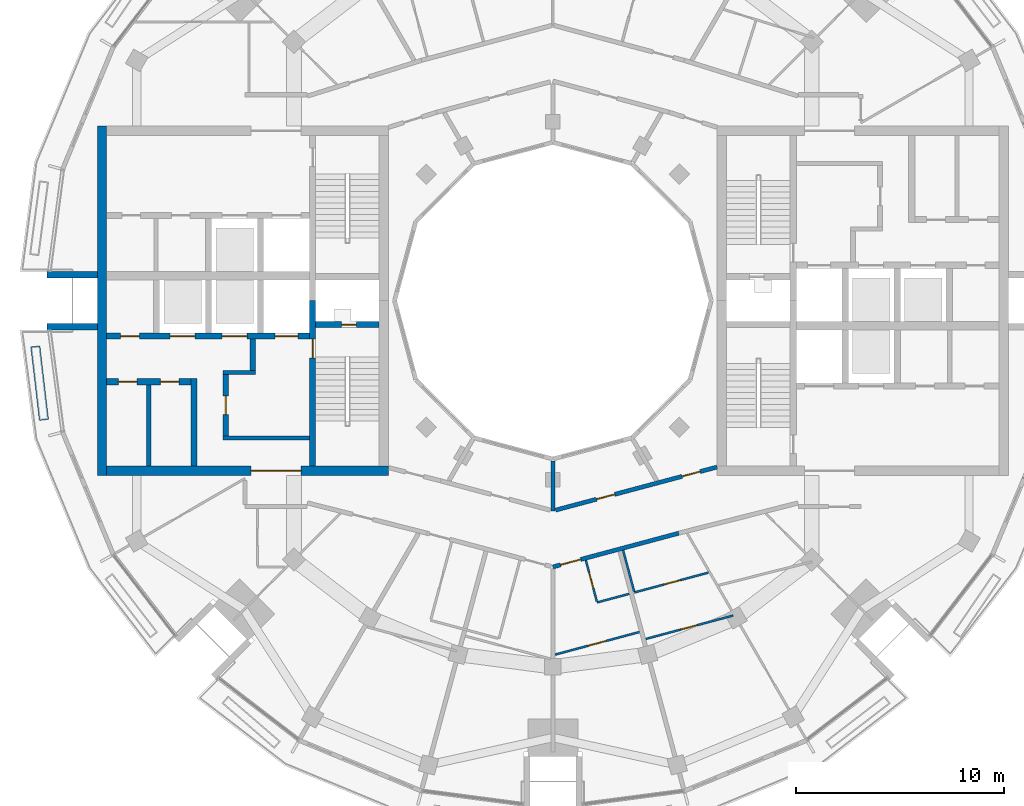
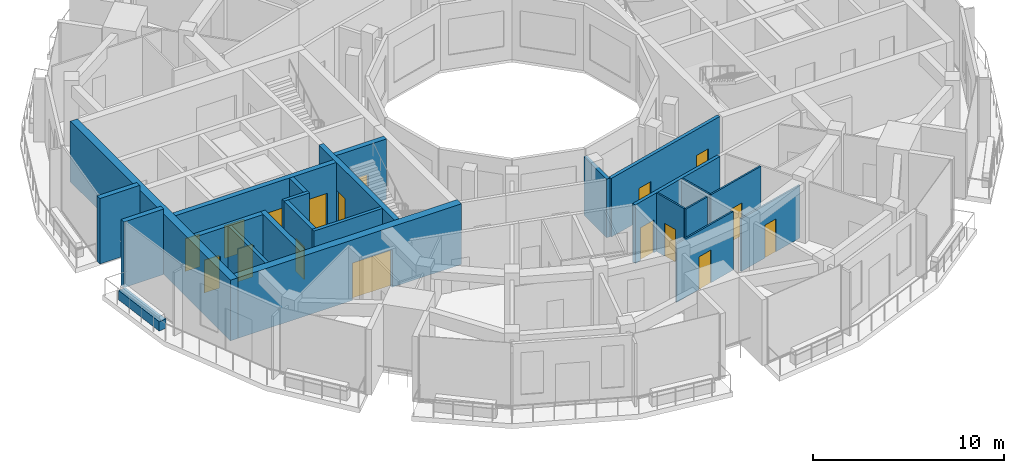
# One storey, part 9 of 17: 24 walls, 17 doors, 17 openings.
"""IFC4 building model written with IfcOpenShell, lengths in metres."""

from ifc_helpers import new_model, si_unit, direction, frame, frame_2d, origin, place, context, subcontext, project, spatial, rectangle, extrude, material, layer, layer_set, type_object, element, fill, save


model = new_model("IFC4")

# Units and contexts
model_context = context("Model", 3, precision=1e-05, world=origin(), true_north=direction((0.0, 1.0)))
body_context = subcontext(model_context, "Body", "Model", "MODEL_VIEW")
ifc_project = project(units=[si_unit("LENGTHUNIT", "METRE"), si_unit("AREAUNIT", "SQUARE_METRE"), si_unit("VOLUMEUNIT", "CUBIC_METRE"), si_unit("PLANEANGLEUNIT", "RADIAN"), si_unit("MASSUNIT", "GRAM", prefix="KILO")], contexts=[model_context])

# Site, building, storey
site_placement = place(None, origin())
site = spatial("IfcSite", under=ifc_project, at=site_placement, CompositionType="ELEMENT")
building_placement = place(site_placement, origin())
building = spatial("IfcBuilding", under=site, at=building_placement, Name="Torre Brocal", CompositionType="ELEMENT")
storey_placement = place(building_placement, frame((0.0, 0.0, 275.699951171875)))
storey = spatial("IfcBuildingStorey", under=building, at=storey_placement, Name="L63", CompositionType="ELEMENT", Elevation=275.699951171875)

# Walls
ifc_material_1 = material(Name="Masonry block", Category="masonry")
ifc_layer_1 = layer(ifc_material_1, 0.199951171875)
ifc_layer_set_1 = layer_set([ifc_layer_1], Name="Masonry block")
wall_type_1 = type_object("IfcWallType", Name="CORE PARTITION 200", PredefinedType="PARTITIONING", material=ifc_layer_set_1)
wall_1_placement = place(storey_placement, frame((60.574951171875, 70.949951171875, 0.0), z_axis=(0.0, 0.0, 1.0), x_axis=(0.0, -1.0, 0.0)))
element("IfcWall", 1, at=wall_1_placement, inside=storey, type_object=wall_type_1, Name="Wall CP200", PredefinedType="PARTITIONING", context=body_context, shape_type="SweptSolid", body=[
    extrude(rectangle(XDim=3.89990234375, YDim=0.199951171875, at=frame_2d((1.949951171875, 0.0))), origin(), (0.0, 0.0, 1.0), 3.880126953125),
])
ifc_material_2 = material(Name="Concrete C50", Category="concrete")
ifc_layer_2 = layer(ifc_material_2, 0.199951171875)
ifc_layer_set_2 = layer_set([ifc_layer_2], Name="Concrete C50")
wall_type_2 = type_object("IfcWallType", Name="CORE WALL 200 C50", PredefinedType="SHEAR", material=ifc_layer_set_2)
wall_2_placement = place(storey_placement, frame((68.300048828125, 68.39990234375, 0.0), z_axis=(0.0, 0.0, 1.0), x_axis=(-1.0, 0.0, 0.0)))
element("IfcWall", 2, at=wall_2_placement, inside=storey, type_object=wall_type_2, Name="Wall CW200-50", PredefinedType="SHEAR", context=body_context, shape_type="SweptSolid", body=[
    extrude(rectangle(XDim=4.150146484375, YDim=0.199951171875, at=frame_2d((2.0751953125, 0.0))), origin(), (0.0, 0.0, 1.0), 3.880126953125),
])
wall_3_placement = place(storey_placement, frame((65.699951171875, 71.550048828125, 0.0), z_axis=(0.0, 0.0, 1.0), x_axis=(-1.0, 0.0, 0.0)))
element("IfcWall", 3, at=wall_3_placement, inside=storey, type_object=wall_type_2, Name="Wall CW200-50", PredefinedType="SHEAR", context=body_context, shape_type="SweptSolid", body=[
    extrude(rectangle(XDim=1.550048828125, YDim=0.199951171875, at=frame_2d((0.77490234375, 0.0))), origin(), (0.0, 0.0, 1.0), 3.880126953125),
])

# Wall, opening, door
ifc_material_3 = material(Name="Concrete C50", Category="concrete")
ifc_layer_3 = layer(ifc_material_3, 0.25)
ifc_layer_set_3 = layer_set([ifc_layer_3], Name="Concrete C50")
wall_type_3 = type_object("IfcWallType", Name="CORE WALL 250 C50", PredefinedType="SHEAR", material=ifc_layer_set_3)
wall_4_placement = place(storey_placement, frame((64.27490234375, 71.449951171875, 0.0), z_axis=(0.0, 0.0, 1.0), x_axis=(0.0, -1.0, 0.0)))
wall_4 = element("IfcWall", 4, at=wall_4_placement, inside=storey, type_object=wall_type_3, Name="Wall CW250-50", PredefinedType="SHEAR", context=body_context, shape_type="SweptSolid", body=[
    extrude(rectangle(XDim=2.949951171875, YDim=0.25, at=frame_2d((1.47509765625, 0.0))), origin(), (0.0, 0.0, 1.0), 3.880126953125),
])
opening_1_placement = place(wall_4_placement, frame((1.02490234375, 0.0, 0.0)))
opening_1 = element("IfcOpeningElement", 5, at=opening_1_placement, cuts=wall_4, Name="Opening W-D26", PredefinedType="OPENING", context=body_context, shape_type="SweptSolid", body=[
    extrude(rectangle(XDim=0.89990234375, YDim=2.10009765625, at=frame_2d((0.449951171875, 1.050048828125))), frame((0.0, 0.135009765625, 0.0), z_axis=(0.0, -1.0, 0.0), x_axis=(1.0, 0.0, 0.0)), (0.0, 0.0, 1.0), 0.27001953125),
])
ifc_material_4 = material(Name="Steel A653", Category="steel")
door_type_1 = type_object("IfcDoorType", Name="LOBBY DOOR FD120 900X2100", OperationType="SINGLE_SWING_RIGHT", PredefinedType="DOOR", material=ifc_material_4)
door_1_placement = place(opening_1_placement, origin())
door_1 = element("IfcDoor", 6, at=door_1_placement, inside=storey, type_object=door_type_1, Name="Door W-D26", OperationType="SINGLE_SWING_LEFT", OverallHeight=2.10009765625, OverallWidth=0.89990234375, PredefinedType="DOOR", context=body_context, shape_type="SweptSolid", body=[
    extrude(rectangle(XDim=0.89990234375, YDim=2.10009765625, at=frame_2d((0.449951171875, 1.050048828125))), frame((0.0, 0.02490234375, 0.0), z_axis=(0.0, -1.0, 0.0), x_axis=(1.0, 0.0, 0.0)), (0.0, 0.0, 1.0), 0.050048828125),
])
fill(opening_1, door_1)

# Wall
wall_5_placement = place(storey_placement, frame((65.574951171875, 73.14990234375, 0.0), z_axis=(0.0, 0.0, 1.0), x_axis=(0.0, -1.0, 0.0)))
element("IfcWall", 7, at=wall_5_placement, inside=storey, type_object=wall_type_3, Name="Wall CW250-50", PredefinedType="SHEAR", context=body_context, shape_type="SweptSolid", body=[
    extrude(rectangle(XDim=1.5, YDim=0.25, at=frame_2d((0.75, 0.0))), origin(), (0.0, 0.0, 1.0), 3.880126953125),
])

# Wall, opening, door
ifc_material_5 = material(Name="Concrete C50", Category="concrete")
ifc_layer_4 = layer(ifc_material_5, 0.300048828125)
ifc_layer_set_4 = layer_set([ifc_layer_4], Name="Concrete C50")
wall_type_4 = type_object("IfcWallType", Name="CORE WALL 300 C50", PredefinedType="SHEAR", material=ifc_layer_set_4)
wall_6_placement = place(storey_placement, frame((68.449951171875, 75.0, 0.0), z_axis=(0.0, 0.0, 1.0), x_axis=(0.0, -1.0, 0.0)))
wall_6 = element("IfcWall", 8, at=wall_6_placement, inside=storey, type_object=wall_type_4, Name="Wall CW300-50", PredefinedType="SHEAR", context=body_context, shape_type="SweptSolid", body=[
    extrude(rectangle(XDim=7.949951171875, YDim=0.300048828125, at=frame_2d((3.97509765625, 0.0))), origin(), (0.0, 0.0, 1.0), 3.880126953125),
])
opening_2_placement = place(wall_6_placement, frame((1.85009765625, 0.0, 0.0)))
opening_2 = element("IfcOpeningElement", 9, at=opening_2_placement, cuts=wall_6, Name="Opening W-D02", PredefinedType="OPENING", context=body_context, shape_type="SweptSolid", body=[
    extrude(rectangle(XDim=0.89990234375, YDim=2.10009765625, at=frame_2d((0.449951171875, 1.050048828125))), frame((0.0, 0.159912109375, 0.0), z_axis=(0.0, -1.0, 0.0), x_axis=(1.0, 0.0, 0.0)), (0.0, 0.0, 1.0), 0.320068359375),
])
ifc_material_6 = material(Name="Steel A653", Category="steel")
door_type_2 = type_object("IfcDoorType", Name="STAIR DOOR FD120 900X2100", OperationType="SINGLE_SWING_RIGHT", PredefinedType="DOOR", material=ifc_material_6)
door_2_placement = place(opening_2_placement, origin())
door_2 = element("IfcDoor", 10, at=door_2_placement, inside=storey, type_object=door_type_2, Name="Door W-D02", OperationType="SINGLE_SWING_LEFT", OverallHeight=2.10009765625, OverallWidth=0.89990234375, PredefinedType="DOOR", context=body_context, shape_type="SweptSolid", body=[
    extrude(rectangle(XDim=0.89990234375, YDim=2.10009765625, at=frame_2d((0.449951171875, 1.050048828125))), frame((0.0, 0.02490234375, 0.0), z_axis=(0.0, -1.0, 0.0), x_axis=(1.0, 0.0, 0.0)), (0.0, 0.0, 1.0), 0.050048828125),
])
fill(opening_2, door_2)

wall_7_placement = place(storey_placement, frame((71.64990234375, 73.85009765625, 0.0), z_axis=(0.0, 0.0, 1.0), x_axis=(-1.0, 0.0, 0.0)))
wall_7 = element("IfcWall", 11, at=wall_7_placement, inside=storey, type_object=wall_type_4, Name="Wall CW300-50", PredefinedType="SHEAR", context=body_context, shape_type="SweptSolid", body=[
    extrude(rectangle(XDim=3.0498046875, YDim=0.300048828125, at=frame_2d((1.52490234375, 0.0))), origin(), (0.0, 0.0, 1.0), 3.880126953125),
])
opening_3_placement = place(wall_7_placement, frame((1.10009765625, 0.0, 0.0)))
opening_3 = element("IfcOpeningElement", 12, at=opening_3_placement, cuts=wall_7, Name="Opening W-D01", PredefinedType="OPENING", context=body_context, shape_type="SweptSolid", body=[
    extrude(rectangle(XDim=0.699951171875, YDim=2.0, at=frame_2d((0.35009765625, 1.0))), frame((0.0, 0.159912109375, 0.0), z_axis=(0.0, -1.0, 0.0), x_axis=(1.0, 0.0, 0.0)), (0.0, 0.0, 1.0), 0.320068359375),
])
ifc_material_7 = material(Name="Steel A653", Category="steel")
door_type_3 = type_object("IfcDoorType", Name="RISER DOOR FD120 700X2000", OperationType="SINGLE_SWING_LEFT", PredefinedType="DOOR", material=ifc_material_7)
door_3_placement = place(opening_3_placement, frame((0.699951171875, 0.0, 0.0), z_axis=(0.0, 0.0, 1.0), x_axis=(-1.0, 0.0, 0.0)))
door_3 = element("IfcDoor", 13, at=door_3_placement, inside=storey, type_object=door_type_3, Name="Door W-D01", OperationType="SINGLE_SWING_RIGHT", OverallHeight=2.0, OverallWidth=0.699951171875, PredefinedType="DOOR", context=body_context, shape_type="SweptSolid", body=[
    extrude(rectangle(XDim=0.699951171875, YDim=2.0, at=frame_2d((0.35009765625, 1.0))), frame((0.0, 0.02490234375, 0.0), z_axis=(0.0, -1.0, 0.0), x_axis=(1.0, 0.0, 0.0)), (0.0, 0.0, 1.0), 0.050048828125),
])
fill(opening_3, door_3)

# Wall, openings, doors
wall_8_placement = place(storey_placement, frame((68.300048828125, 73.300048828125, 0.0), z_axis=(0.0, 0.0, 1.0), x_axis=(-1.0, 0.0, 0.0)))
wall_8 = element("IfcWall", 14, at=wall_8_placement, inside=storey, type_object=wall_type_4, Name="Wall CW300-50", PredefinedType="SHEAR", context=body_context, shape_type="SweptSolid", body=[
    extrude(rectangle(XDim=9.75, YDim=0.300048828125, at=frame_2d((4.875, 0.0))), origin(), (0.0, 0.0, 1.0), 3.880126953125),
])
opening_4_placement = place(wall_8_placement, frame((0.550048828125, 0.0, 0.0)))
opening_4 = element("IfcOpeningElement", 15, at=opening_4_placement, cuts=wall_8, Name="Opening LD", PredefinedType="OPENING", context=body_context, shape_type="SweptSolid", body=[
    extrude(rectangle(XDim=1.10009765625, YDim=2.10009765625, at=frame_2d((0.550048828125, 1.050048828125))), frame((0.0, 0.159912109375, 0.0), z_axis=(0.0, -1.0, 0.0), x_axis=(1.0, 0.0, 0.0)), (0.0, 0.0, 1.0), 0.320068359375),
])
opening_5_placement = place(wall_8_placement, frame((3.0, 0.0, 0.0)))
opening_5 = element("IfcOpeningElement", 16, at=opening_5_placement, cuts=wall_8, Name="Opening LD12", PredefinedType="OPENING", context=body_context, shape_type="SweptSolid", body=[
    extrude(rectangle(XDim=1.199951171875, YDim=2.10009765625, at=frame_2d((0.60009765625, 1.050048828125))), frame((0.0, 0.159912109375, 0.0), z_axis=(0.0, -1.0, 0.0), x_axis=(1.0, 0.0, 0.0)), (0.0, 0.0, 1.0), 0.320068359375),
])
opening_6_placement = place(wall_8_placement, frame((5.5, 0.0, 0.0)))
opening_6 = element("IfcOpeningElement", 17, at=opening_6_placement, cuts=wall_8, Name="Opening LD12", PredefinedType="OPENING", context=body_context, shape_type="SweptSolid", body=[
    extrude(rectangle(XDim=1.199951171875, YDim=2.10009765625, at=frame_2d((0.60009765625, 1.050048828125))), frame((0.0, 0.159912109375, 0.0), z_axis=(0.0, -1.0, 0.0), x_axis=(1.0, 0.0, 0.0)), (0.0, 0.0, 1.0), 0.320068359375),
])
opening_7_placement = place(wall_8_placement, frame((8.175048828125, 0.0, 0.0)))
opening_7 = element("IfcOpeningElement", 18, at=opening_7_placement, cuts=wall_8, Name="Opening W-D04", PredefinedType="OPENING", context=body_context, shape_type="SweptSolid", body=[
    extrude(rectangle(XDim=0.89990234375, YDim=2.10009765625, at=frame_2d((0.449951171875, 1.050048828125))), frame((0.0, 0.159912109375, 0.0), z_axis=(0.0, -1.0, 0.0), x_axis=(1.0, 0.0, 0.0)), (0.0, 0.0, 1.0), 0.320068359375),
])
ifc_material_8 = material(Name="Stainless steel AISI 316", Category="steel")
door_type_4 = type_object("IfcDoorType", Name="LIFT LANDING DOOR 1100X2100", OperationType="DOUBLE_DOOR_SLIDING", PredefinedType="DOOR", material=ifc_material_8)
door_4_placement = place(opening_4_placement, origin())
door_4 = element("IfcDoor", 19, at=door_4_placement, inside=storey, type_object=door_type_4, Name="Door LD", OperationType="DOUBLE_DOOR_SLIDING", OverallHeight=2.10009765625, OverallWidth=1.10009765625, PredefinedType="DOOR", context=body_context, shape_type="SweptSolid", body=[
    extrude(rectangle(XDim=1.10009765625, YDim=2.10009765625, at=frame_2d((0.550048828125, 1.050048828125))), frame((0.0, 0.02490234375, 0.0), z_axis=(0.0, -1.0, 0.0), x_axis=(1.0, 0.0, 0.0)), (0.0, 0.0, 1.0), 0.050048828125),
])
fill(opening_4, door_4)
ifc_material_9 = material(Name="Stainless steel AISI 316", Category="steel")
door_type_5 = type_object("IfcDoorType", Name="LIFT LANDING DOOR 1200X2100", OperationType="DOUBLE_DOOR_SLIDING", PredefinedType="DOOR", material=ifc_material_9)
door_5_placement = place(opening_5_placement, origin())
door_5 = element("IfcDoor", 20, at=door_5_placement, inside=storey, type_object=door_type_5, Name="Door LD12", OperationType="DOUBLE_DOOR_SLIDING", OverallHeight=2.10009765625, OverallWidth=1.199951171875, PredefinedType="DOOR", context=body_context, shape_type="SweptSolid", body=[
    extrude(rectangle(XDim=1.199951171875, YDim=2.10009765625, at=frame_2d((0.60009765625, 1.050048828125))), frame((0.0, 0.02490234375, 0.0), z_axis=(0.0, -1.0, 0.0), x_axis=(1.0, 0.0, 0.0)), (0.0, 0.0, 1.0), 0.050048828125),
])
fill(opening_5, door_5)
door_6_placement = place(opening_6_placement, origin())
door_6 = element("IfcDoor", 21, at=door_6_placement, inside=storey, type_object=door_type_5, Name="Door LD12", OperationType="DOUBLE_DOOR_SLIDING", OverallHeight=2.10009765625, OverallWidth=1.199951171875, PredefinedType="DOOR", context=body_context, shape_type="SweptSolid", body=[
    extrude(rectangle(XDim=1.199951171875, YDim=2.10009765625, at=frame_2d((0.60009765625, 1.050048828125))), frame((0.0, 0.02490234375, 0.0), z_axis=(0.0, -1.0, 0.0), x_axis=(1.0, 0.0, 0.0)), (0.0, 0.0, 1.0), 0.050048828125),
])
fill(opening_6, door_6)
ifc_material_10 = material(Name="Steel A653", Category="steel")
door_type_6 = type_object("IfcDoorType", Name="ROOM DOOR FD30S 900X2100", OperationType="SINGLE_SWING_LEFT", PredefinedType="DOOR", material=ifc_material_10)
door_7_placement = place(opening_7_placement, frame((0.89990234375, 0.0, 0.0), z_axis=(0.0, 0.0, 1.0), x_axis=(-1.0, 0.0, 0.0)))
door_7 = element("IfcDoor", 22, at=door_7_placement, inside=storey, type_object=door_type_6, Name="Door W-D04", OperationType="SINGLE_SWING_LEFT", OverallHeight=2.10009765625, OverallWidth=0.89990234375, PredefinedType="DOOR", context=body_context, shape_type="SweptSolid", body=[
    extrude(rectangle(XDim=0.89990234375, YDim=2.10009765625, at=frame_2d((0.449951171875, 1.050048828125))), frame((0.0, 0.02490234375, 0.0), z_axis=(0.0, -1.0, 0.0), x_axis=(1.0, 0.0, 0.0)), (0.0, 0.0, 1.0), 0.050048828125),
])
fill(opening_7, door_7)

# Wall
wall_9_placement = place(storey_placement, frame((62.75, 71.25, 0.0), z_axis=(0.0, 0.0, 1.0), x_axis=(0.0, -1.0, 0.0)))
element("IfcWall", 23, at=wall_9_placement, inside=storey, type_object=wall_type_4, Name="Wall CW300-50", PredefinedType="SHEAR", context=body_context, shape_type="SweptSolid", body=[
    extrude(rectangle(XDim=4.199951171875, YDim=0.300048828125, at=frame_2d((2.10009765625, 0.0))), origin(), (0.0, 0.0, 1.0), 3.880126953125),
])

# Wall, openings, doors
wall_10_placement = place(storey_placement, frame((62.60009765625, 71.10009765625, 0.0), z_axis=(0.0, 0.0, 1.0), x_axis=(-1.0, 0.0, 0.0)))
wall_10 = element("IfcWall", 24, at=wall_10_placement, inside=storey, type_object=wall_type_4, Name="Wall CW300-50", PredefinedType="SHEAR", context=body_context, shape_type="SweptSolid", body=[
    extrude(rectangle(XDim=4.050048828125, YDim=0.300048828125, at=frame_2d((2.02490234375, 0.0))), origin(), (0.0, 0.0, 1.0), 3.880126953125),
])
opening_8_placement = place(wall_10_placement, frame((0.5625, 0.0, 0.0)))
opening_8 = element("IfcOpeningElement", 25, at=opening_8_placement, cuts=wall_10, Name="Opening W-D28", PredefinedType="OPENING", context=body_context, shape_type="SweptSolid", body=[
    extrude(rectangle(XDim=0.89990234375, YDim=2.10009765625, at=frame_2d((0.449951171875, 1.050048828125))), frame((0.0, 0.159912109375, 0.0), z_axis=(0.0, -1.0, 0.0), x_axis=(1.0, 0.0, 0.0)), (0.0, 0.0, 1.0), 0.320068359375),
])
opening_9_placement = place(wall_10_placement, frame((2.58740234375, 0.0, 0.0)))
opening_9 = element("IfcOpeningElement", 26, at=opening_9_placement, cuts=wall_10, Name="Opening W-D09", PredefinedType="OPENING", context=body_context, shape_type="SweptSolid", body=[
    extrude(rectangle(XDim=0.89990234375, YDim=2.10009765625, at=frame_2d((0.449951171875, 1.050048828125))), frame((0.0, 0.159912109375, 0.0), z_axis=(0.0, -1.0, 0.0), x_axis=(1.0, 0.0, 0.0)), (0.0, 0.0, 1.0), 0.320068359375),
])
door_8_placement = place(opening_8_placement, origin())
door_8 = element("IfcDoor", 27, at=door_8_placement, inside=storey, type_object=door_type_6, Name="Door W-D28", OperationType="SINGLE_SWING_RIGHT", OverallHeight=2.10009765625, OverallWidth=0.89990234375, PredefinedType="DOOR", context=body_context, shape_type="SweptSolid", body=[
    extrude(rectangle(XDim=0.89990234375, YDim=2.10009765625, at=frame_2d((0.449951171875, 1.050048828125))), frame((0.0, 0.02490234375, 0.0), z_axis=(0.0, -1.0, 0.0), x_axis=(1.0, 0.0, 0.0)), (0.0, 0.0, 1.0), 0.050048828125),
])
fill(opening_8, door_8)
door_9_placement = place(opening_9_placement, origin())
door_9 = element("IfcDoor", 28, at=door_9_placement, inside=storey, type_object=door_type_6, Name="Door W-D09", OperationType="SINGLE_SWING_LEFT", OverallHeight=2.10009765625, OverallWidth=0.89990234375, PredefinedType="DOOR", context=body_context, shape_type="SweptSolid", body=[
    extrude(rectangle(XDim=0.89990234375, YDim=2.10009765625, at=frame_2d((0.449951171875, 1.050048828125))), frame((0.0, 0.02490234375, 0.0), z_axis=(0.0, -1.0, 0.0), x_axis=(1.0, 0.0, 0.0)), (0.0, 0.0, 1.0), 0.050048828125),
])
fill(opening_9, door_9)

# Wall, opening, door
ifc_material_11 = material(Name="Concrete C50", Category="concrete")
ifc_layer_5 = layer(ifc_material_11, 0.449951171875)
ifc_layer_set_5 = layer_set([ifc_layer_5], Name="Concrete C50")
wall_type_5 = type_object("IfcWallType", Name="CORE WALL 450 C50", PredefinedType="SHEAR", material=ifc_layer_set_5)
wall_11_placement = place(storey_placement, frame((72.10009765625, 66.824951171875, 0.0), z_axis=(0.0, 0.0, 1.0), x_axis=(-1.0, 0.0, 0.0)))
wall_11 = element("IfcWall", 29, at=wall_11_placement, inside=storey, type_object=wall_type_5, Name="Wall CW450-50", PredefinedType="SHEAR", context=body_context, shape_type="SweptSolid", body=[
    extrude(rectangle(XDim=13.550048828125, YDim=0.449951171875, at=frame_2d((6.77490234375, 0.0))), origin(), (0.0, 0.0, 1.0), 3.880126953125),
])
opening_10_placement = place(wall_11_placement, frame((4.199951171875, 0.0, 0.0)))
opening_10 = element("IfcOpeningElement", 30, at=opening_10_placement, cuts=wall_11, Name="Opening W-D32", PredefinedType="OPENING", context=body_context, shape_type="SweptSolid", body=[
    extrude(rectangle(XDim=2.39990234375, YDim=2.39990234375, at=frame_2d((1.199951171875, 1.199951171875))), frame((0.0, 0.23486328125, 0.0), z_axis=(0.0, -1.0, 0.0), x_axis=(1.0, 0.0, 0.0)), (0.0, 0.0, 1.0), 0.469970703125),
])
ifc_material_12 = material(Name="Steel A653", Category="steel")
door_type_7 = type_object("IfcDoorType", Name="DOUBLE FIRE DOOR FD90 2400X2400", OperationType="DOUBLE_DOOR_SINGLE_SWING", PredefinedType="DOOR", material=ifc_material_12)
door_10_placement = place(opening_10_placement, frame((2.39990234375, 0.0, 0.0), z_axis=(0.0, 0.0, 1.0), x_axis=(-1.0, 0.0, 0.0)))
door_10 = element("IfcDoor", 31, at=door_10_placement, inside=storey, type_object=door_type_7, Name="Door W-D32", OperationType="DOUBLE_DOOR_SINGLE_SWING", OverallHeight=2.39990234375, OverallWidth=2.39990234375, PredefinedType="DOOR", context=body_context, shape_type="SweptSolid", body=[
    extrude(rectangle(XDim=2.39990234375, YDim=2.39990234375, at=frame_2d((1.199951171875, 1.199951171875))), frame((0.0, 0.02490234375, 0.0), z_axis=(0.0, -1.0, 0.0), x_axis=(1.0, 0.0, 0.0)), (0.0, 0.0, 1.0), 0.050048828125),
])
fill(opening_10, door_10)

# Walls
wall_12_placement = place(storey_placement, frame((58.324951171875, 83.39990234375, 0.0), z_axis=(0.0, 0.0, 1.0), x_axis=(0.0, -1.0, 0.0)))
element("IfcWall", 32, at=wall_12_placement, inside=storey, type_object=wall_type_5, Name="Wall CW450-50", PredefinedType="SHEAR", context=body_context, shape_type="SweptSolid", body=[
    extrude(rectangle(XDim=16.7998046875, YDim=0.449951171875, at=frame_2d((8.39990234375, 0.0))), origin(), (0.0, 0.0, 1.0), 3.880126953125),
])
ifc_material_13 = material(Name="Concrete C50", Category="concrete")
ifc_layer_6 = layer(ifc_material_13, 0.300048828125)
ifc_layer_set_6 = layer_set([ifc_layer_6], Name="Concrete C50")
wall_type_6 = type_object("IfcWallType", Name="NOTCH RETURN WALL 300 C50", PredefinedType="NOTDEFINED", material=ifc_layer_set_6)
for number, where, z_axis, x_axis, name in (
    (33, (58.10009765625, 76.25, 0.0), (0.0, 0.0, 1.0), (-1.0, 0.0, 0.0), "NOTCH RETURN WALL"),
    (34, (58.10009765625, 73.75, 0.0), (0.0, 0.0, 1.0), (-1.0, 0.0, 0.0), "NOTCH RETURN WALL"),
):
    element("IfcWall", number, at=place(storey_placement, frame(where, z_axis=z_axis, x_axis=x_axis)), inside=storey, type_object=wall_type_6, Name=name, PredefinedType="NOTDEFINED", context=body_context, shape_type="SweptSolid", body=[
        extrude(rectangle(XDim=2.415771484375, YDim=0.300048828125, at=frame_2d((1.2080078125, 0.0))), origin(), (0.0, 0.0, 1.0), 4.199951171875),
    ])

# Wall, opening, door
ifc_material_14 = material(Name="Gypsum board", Category="Gypsum")
ifc_layer_7 = layer(ifc_material_14, 0.10009765625)
ifc_layer_set_7 = layer_set([ifc_layer_7], Name="Gypsum board")
wall_type_7 = type_object("IfcWallType", Name="PARTITION 100", PredefinedType="PARTITIONING", material=ifc_layer_set_7)
wall_13_placement = place(storey_placement, frame((80.106201171875, 57.987548828125, 0.0), z_axis=(0.0, 0.0, 1.0), x_axis=(0.965893555682, 0.25893945063, 0.0)))
wall_13 = element("IfcWall", 35, at=wall_13_placement, inside=storey, type_object=wall_type_7, Name="ROOM PARTITION", PredefinedType="PARTITIONING", context=body_context, shape_type="SweptSolid", body=[
    extrude(rectangle(XDim=4.200439453125, YDim=0.10009765625, at=frame_2d((2.10009765625, 0.0))), origin(), (0.0, 0.0, 1.0), 3.75),
])
opening_11_placement = place(wall_13_placement, frame((1.645263671875, 0.0, 0.0)))
opening_11 = element("IfcOpeningElement", 36, at=opening_11_placement, cuts=wall_13, Name="Opening N01-D28", PredefinedType="OPENING", context=body_context, shape_type="SweptSolid", body=[
    extrude(rectangle(XDim=0.89990234375, YDim=2.10009765625, at=frame_2d((0.449951171875, 1.050048828125))), frame((0.0, 0.06005859375, 0.0), z_axis=(0.0, -1.0, 0.0), x_axis=(1.0, 0.0, 0.0)), (0.0, 0.0, 1.0), 0.1201171875),
])
ifc_material_15 = material(Name="Timber", Category="wood")
door_type_8 = type_object("IfcDoorType", Name="ROOM DOOR 900X2100", OperationType="SINGLE_SWING_LEFT", PredefinedType="DOOR", material=ifc_material_15)
door_11_placement = place(opening_11_placement, origin())
door_11 = element("IfcDoor", 37, at=door_11_placement, inside=storey, type_object=door_type_8, Name="N01-D28", OperationType="SINGLE_SWING_LEFT", OverallHeight=2.10009765625, OverallWidth=0.89990234375, PredefinedType="DOOR", context=body_context, shape_type="SweptSolid", body=[
    extrude(rectangle(XDim=0.89990234375, YDim=2.10009765625, at=frame_2d((0.449951171875, 1.050048828125))), frame((0.0, 0.02490234375, 0.0), z_axis=(0.0, -1.0, 0.0), x_axis=(1.0, 0.0, 0.0)), (0.0, 0.0, 1.0), 0.050048828125),
])
fill(opening_11, door_11)

wall_14_placement = place(storey_placement, frame((81.5830078125, 62.5244140625, 0.0), z_axis=(0.0, 0.0, 1.0), x_axis=(0.258559472989, -0.965995341049, 0.0)))
wall_14 = element("IfcWall", 38, at=wall_14_placement, inside=storey, type_object=wall_type_7, Name="BATHROOM WALL", PredefinedType="PARTITIONING", context=body_context, shape_type="SweptSolid", body=[
    extrude(rectangle(XDim=2.050048828125, YDim=0.10009765625, at=frame_2d((1.02490234375, 0.0))), origin(), (0.0, 0.0, 1.0), 3.75),
])
opening_12_placement = place(wall_14_placement, frame((0.599853515625, 0.0, 0.0)))
opening_12 = element("IfcOpeningElement", 39, at=opening_12_placement, cuts=wall_14, Name="Opening N01-D30", PredefinedType="OPENING", context=body_context, shape_type="SweptSolid", body=[
    extrude(rectangle(XDim=0.800048828125, YDim=2.10009765625, at=frame_2d((0.39990234375, 1.050048828125))), frame((0.0, 0.06005859375, 0.0), z_axis=(0.0, -1.0, 0.0), x_axis=(1.0, 0.0, 0.0)), (0.0, 0.0, 1.0), 0.1201171875),
])
ifc_material_16 = material(Name="Timber", Category="wood")
door_type_9 = type_object("IfcDoorType", Name="BATHROOM DOOR 800X2100", OperationType="SINGLE_SWING_LEFT", PredefinedType="DOOR", material=ifc_material_16)
door_12_placement = place(opening_12_placement, origin())
door_12 = element("IfcDoor", 40, at=door_12_placement, inside=storey, type_object=door_type_9, Name="N01-D30", OperationType="SINGLE_SWING_LEFT", OverallHeight=2.10009765625, OverallWidth=0.800048828125, PredefinedType="DOOR", context=body_context, shape_type="SweptSolid", body=[
    extrude(rectangle(XDim=0.800048828125, YDim=2.10009765625, at=frame_2d((0.39990234375, 1.050048828125))), frame((0.0, 0.02490234375, 0.0), z_axis=(0.0, -1.0, 0.0), x_axis=(1.0, 0.0, 0.0)), (0.0, 0.0, 1.0), 0.050048828125),
])
fill(opening_12, door_12)

# Walls
wall_15_placement = place(storey_placement, frame((82.1259765625, 60.495849609375, 0.0), z_axis=(0.0, 0.0, 1.0), x_axis=(0.965930342518, 0.258802189717, 0.0)))
element("IfcWall", 41, at=wall_15_placement, inside=storey, type_object=wall_type_7, Name="BATHROOM WALL", PredefinedType="PARTITIONING", context=body_context, shape_type="SweptSolid", body=[
    extrude(rectangle(XDim=1.599853515625, YDim=0.10009765625, at=frame_2d((0.7998046875, 0.0))), origin(), (0.0, 0.0, 1.0), 3.75),
])
wall_16_placement = place(storey_placement, frame((83.373779296875, 63.00439453125, 0.0), z_axis=(0.0, 0.0, 1.0), x_axis=(0.259144823933, -0.965838475227, 0.0)))
element("IfcWall", 42, at=wall_16_placement, inside=storey, type_object=wall_type_7, Name="BATHROOM WALL", PredefinedType="PARTITIONING", context=body_context, shape_type="SweptSolid", body=[
    extrude(rectangle(XDim=2.050048828125, YDim=0.10009765625, at=frame_2d((1.02490234375, 0.0))), origin(), (0.0, 0.0, 1.0), 3.75),
])

# Wall, opening, door
wall_17_placement = place(storey_placement, frame((83.91796875, 60.97607421875, 0.0), z_axis=(0.0, 0.0, 1.0), x_axis=(0.965914351064, 0.258861867428, 0.0)))
wall_17 = element("IfcWall", 43, at=wall_17_placement, inside=storey, type_object=wall_type_7, Name="BATHROOM WALL", PredefinedType="PARTITIONING", context=body_context, shape_type="SweptSolid", body=[
    extrude(rectangle(XDim=3.686767578125, YDim=0.10009765625, at=frame_2d((1.84326171875, 0.0))), origin(), (0.0, 0.0, 1.0), 3.75),
])
opening_13_placement = place(wall_17_placement, frame((1.473388671875, 0.0, 0.0)))
opening_13 = element("IfcOpeningElement", 44, at=opening_13_placement, cuts=wall_17, Name="Opening N01-D26", PredefinedType="OPENING", context=body_context, shape_type="SweptSolid", body=[
    extrude(rectangle(XDim=0.800048828125, YDim=2.10009765625, at=frame_2d((0.39990234375, 1.050048828125))), frame((0.0, 0.06005859375, 0.0), z_axis=(0.0, -1.0, 0.0), x_axis=(1.0, 0.0, 0.0)), (0.0, 0.0, 1.0), 0.1201171875),
])
door_13_placement = place(opening_13_placement, origin())
door_13 = element("IfcDoor", 45, at=door_13_placement, inside=storey, type_object=door_type_9, Name="N01-D26", OperationType="SINGLE_SWING_RIGHT", OverallHeight=2.10009765625, OverallWidth=0.800048828125, PredefinedType="DOOR", context=body_context, shape_type="SweptSolid", body=[
    extrude(rectangle(XDim=0.800048828125, YDim=2.10009765625, at=frame_2d((0.39990234375, 1.050048828125))), frame((0.0, 0.02490234375, 0.0), z_axis=(0.0, -1.0, 0.0), x_axis=(1.0, 0.0, 0.0)), (0.0, 0.0, 1.0), 0.050048828125),
])
fill(opening_13, door_13)

ifc_material_17 = material(Name="Gypsum board", Category="Gypsum")
ifc_layer_8 = layer(ifc_material_17, 0.10009765625)
ifc_layer_set_8 = layer_set([ifc_layer_8], Name="Gypsum board")
wall_type_8 = type_object("IfcWallType", Name="PARTITION 100 UNDER BEAM 820", PredefinedType="PARTITIONING", material=ifc_layer_set_8)
wall_18_placement = place(storey_placement, frame((84.460693359375, 58.739990234375, 0.0), z_axis=(0.0, 0.0, 1.0), x_axis=(0.965893774063, 0.258938636026, 0.0)))
wall_18 = element("IfcWall", 46, at=wall_18_placement, inside=storey, type_object=wall_type_8, Name="BATHROOM WALL", PredefinedType="PARTITIONING", context=body_context, shape_type="SweptSolid", body=[
    extrude(rectangle(XDim=4.35791015625, YDim=0.10009765625, at=frame_2d((2.178955078125, 0.0))), origin(), (0.0, 0.0, 1.0), 3.380126953125),
])
opening_14_placement = place(wall_18_placement, frame((1.759033203125, 0.0, 0.0)))
opening_14 = element("IfcOpeningElement", 47, at=opening_14_placement, cuts=wall_18, Name="Opening N01-D27", PredefinedType="OPENING", context=body_context, shape_type="SweptSolid", body=[
    extrude(rectangle(XDim=0.800048828125, YDim=2.10009765625, at=frame_2d((0.39990234375, 1.050048828125))), frame((0.0, 0.06005859375, 0.0), z_axis=(0.0, -1.0, 0.0), x_axis=(1.0, 0.0, 0.0)), (0.0, 0.0, 1.0), 0.1201171875),
])
door_14_placement = place(opening_14_placement, frame((0.800048828125, 0.0, 0.0), z_axis=(0.0, 0.0, 1.0), x_axis=(-1.0, 0.0, 0.0)))
door_14 = element("IfcDoor", 48, at=door_14_placement, inside=storey, type_object=door_type_9, Name="N01-D27", OperationType="SINGLE_SWING_RIGHT", OverallHeight=2.10009765625, OverallWidth=0.800048828125, PredefinedType="DOOR", context=body_context, shape_type="SweptSolid", body=[
    extrude(rectangle(XDim=0.800048828125, YDim=2.10009765625, at=frame_2d((0.39990234375, 1.050048828125))), frame((0.0, 0.02490234375, 0.0), z_axis=(0.0, -1.0, 0.0), x_axis=(1.0, 0.0, 0.0)), (0.0, 0.0, 1.0), 0.050048828125),
])
fill(opening_14, door_14)

# Wall, openings, doors
ifc_material_18 = material(Name="Gypsum board", Category="Gypsum")
ifc_layer_9 = layer(ifc_material_18, 0.199951171875)
ifc_layer_set_9 = layer_set([ifc_layer_9], Name="Gypsum board")
wall_type_9 = type_object("IfcWallType", Name="PARTITION 200 EI60", PredefinedType="PARTITIONING", material=ifc_layer_set_9)
wall_19_placement = place(storey_placement, frame((80.125, 64.931640625, 0.0), z_axis=(0.0, 0.0, 1.0), x_axis=(0.966236955806, 0.257655089674, 0.0)))
wall_19 = element("IfcWall", 49, at=wall_19_placement, inside=storey, type_object=wall_type_9, Name="CORRIDOR WALL", PredefinedType="PARTITIONING", context=body_context, shape_type="SweptSolid", body=[
    extrude(rectangle(XDim=8.0390625, YDim=0.199951171875, at=frame_2d((4.01953125, 0.0))), origin(), (0.0, 0.0, 1.0), 3.75),
])
opening_15_placement = place(wall_19_placement, frame((6.298095703125, 0.0, 0.0)))
opening_15 = element("IfcOpeningElement", 50, at=opening_15_placement, cuts=wall_19, Name="Opening N01-D41", PredefinedType="OPENING", context=body_context, shape_type="SweptSolid", body=[
    extrude(rectangle(XDim=0.89990234375, YDim=2.10009765625, at=frame_2d((0.449951171875, 1.050048828125))), frame((0.0, 0.10986328125, 0.0), z_axis=(0.0, -1.0, 0.0), x_axis=(1.0, 0.0, 0.0)), (0.0, 0.0, 1.0), 0.219970703125),
])
opening_16_placement = place(wall_19_placement, frame((2.044921875, 0.0, 0.0)))
opening_16 = element("IfcOpeningElement", 51, at=opening_16_placement, cuts=wall_19, Name="Opening N01-D42", PredefinedType="OPENING", context=body_context, shape_type="SweptSolid", body=[
    extrude(rectangle(XDim=0.89990234375, YDim=2.10009765625, at=frame_2d((0.449951171875, 1.050048828125))), frame((0.0, 0.10986328125, 0.0), z_axis=(0.0, -1.0, 0.0), x_axis=(1.0, 0.0, 0.0)), (0.0, 0.0, 1.0), 0.219970703125),
])
door_15_placement = place(opening_15_placement, origin())
door_15 = element("IfcDoor", 52, at=door_15_placement, inside=storey, type_object=door_type_8, Name="N01-D41", OperationType="SINGLE_SWING_RIGHT", OverallHeight=2.10009765625, OverallWidth=0.89990234375, PredefinedType="DOOR", context=body_context, shape_type="SweptSolid", body=[
    extrude(rectangle(XDim=0.89990234375, YDim=2.10009765625, at=frame_2d((0.449951171875, 1.050048828125))), frame((0.0, 0.02490234375, 0.0), z_axis=(0.0, -1.0, 0.0), x_axis=(1.0, 0.0, 0.0)), (0.0, 0.0, 1.0), 0.050048828125),
])
fill(opening_15, door_15)
door_16_placement = place(opening_16_placement, origin())
door_16 = element("IfcDoor", 53, at=door_16_placement, inside=storey, type_object=door_type_8, Name="N01-D42", OperationType="SINGLE_SWING_RIGHT", OverallHeight=2.10009765625, OverallWidth=0.89990234375, PredefinedType="DOOR", context=body_context, shape_type="SweptSolid", body=[
    extrude(rectangle(XDim=0.89990234375, YDim=2.10009765625, at=frame_2d((0.449951171875, 1.050048828125))), frame((0.0, 0.02490234375, 0.0), z_axis=(0.0, -1.0, 0.0), x_axis=(1.0, 0.0, 0.0)), (0.0, 0.0, 1.0), 0.050048828125),
])
fill(opening_16, door_16)

# Wall, opening, door
wall_20_placement = place(storey_placement, frame((80.0, 62.2041015625, 0.0), z_axis=(0.0, 0.0, 1.0), x_axis=(0.965960221635, 0.258690645788, 0.0)))
wall_20 = element("IfcWall", 54, at=wall_20_placement, inside=storey, type_object=wall_type_9, Name="FLAT ENTRANCE WALL", PredefinedType="PARTITIONING", context=body_context, shape_type="SweptSolid", body=[
    extrude(rectangle(XDim=6.2666015625, YDim=0.199951171875, at=frame_2d((3.13330078125, 0.0))), origin(), (0.0, 0.0, 1.0), 3.75),
])
opening_17_placement = place(wall_20_placement, frame((0.381591796875, 0.0, 0.0)))
opening_17 = element("IfcOpeningElement", 55, at=opening_17_placement, cuts=wall_20, Name="Opening N01-D29", PredefinedType="OPENING", context=body_context, shape_type="SweptSolid", body=[
    extrude(rectangle(XDim=1.0, YDim=2.10009765625, at=frame_2d((0.5, 1.050048828125))), frame((0.0, 0.10986328125, 0.0), z_axis=(0.0, -1.0, 0.0), x_axis=(1.0, 0.0, 0.0)), (0.0, 0.0, 1.0), 0.219970703125),
])
ifc_material_19 = material(Name="Timber", Category="wood")
door_type_10 = type_object("IfcDoorType", Name="FLAT ENTRY DOOR FD30S 1000X2100", OperationType="SINGLE_SWING_RIGHT", PredefinedType="DOOR", material=ifc_material_19)
door_17_placement = place(opening_17_placement, frame((1.0, 0.0, 0.0), z_axis=(0.0, 0.0, 1.0), x_axis=(-1.0, 0.0, 0.0)))
door_17 = element("IfcDoor", 56, at=door_17_placement, inside=storey, type_object=door_type_10, Name="N01-D29", OperationType="SINGLE_SWING_LEFT", OverallHeight=2.10009765625, OverallWidth=1.0, PredefinedType="DOOR", context=body_context, shape_type="SweptSolid", body=[
    extrude(rectangle(XDim=1.0, YDim=2.10009765625, at=frame_2d((0.5, 1.050048828125))), frame((0.0, 0.02490234375, 0.0), z_axis=(0.0, -1.0, 0.0), x_axis=(1.0, 0.0, 0.0)), (0.0, 0.0, 1.0), 0.050048828125),
])
fill(opening_17, door_17)

# Walls
wall_21_placement = place(storey_placement, frame((80.0, 64.89599609375, 0.0), z_axis=(0.0, 0.0, 1.0), x_axis=(0.0, 1.0, 0.0)))
element("IfcWall", 57, at=wall_21_placement, inside=storey, type_object=wall_type_9, Name="SERVICE ROOM WALL", PredefinedType="PARTITIONING", context=body_context, shape_type="SweptSolid", body=[
    extrude(rectangle(XDim=2.405029296875, YDim=0.199951171875, at=frame_2d((1.20263671875, 0.0))), origin(), (0.0, 0.0, 1.0), 3.75),
])
ifc_material_20 = material(Name="Concrete C35", Category="concrete")
ifc_layer_10 = layer(ifc_material_20, 0.449951171875)
ifc_layer_set_10 = layer_set([ifc_layer_10], Name="Concrete C35")
wall_type_10 = type_object("IfcWallType", Name="PLANTER WALL 450 THICK 600 HIGH", PredefinedType="USERDEFINED", material=ifc_layer_set_10)
wall_22_placement = place(storey_placement, frame((55.12255859375, 72.806884765625, 0.0), z_axis=(0.0, 0.0, 1.0), x_axis=(0.116149828965, -0.993231703698, 0.0)))
element("IfcWall", 58, at=wall_22_placement, inside=storey, type_object=wall_type_10, Name="PLANTER", ObjectType="PLANTER", PredefinedType="USERDEFINED", context=body_context, shape_type="SweptSolid", body=[
    extrude(rectangle(XDim=3.56494140625, YDim=0.449951171875, at=frame_2d((1.782470703125, 0.0))), origin(), (0.0, 0.0, 1.0), 0.60009765625),
])

save(model, "model.ifc")
